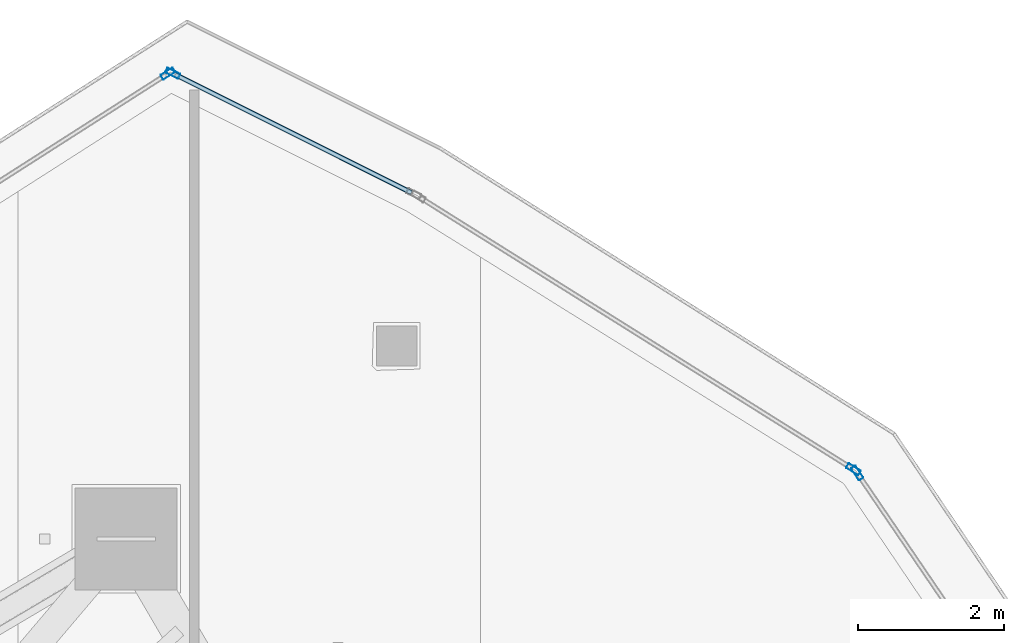
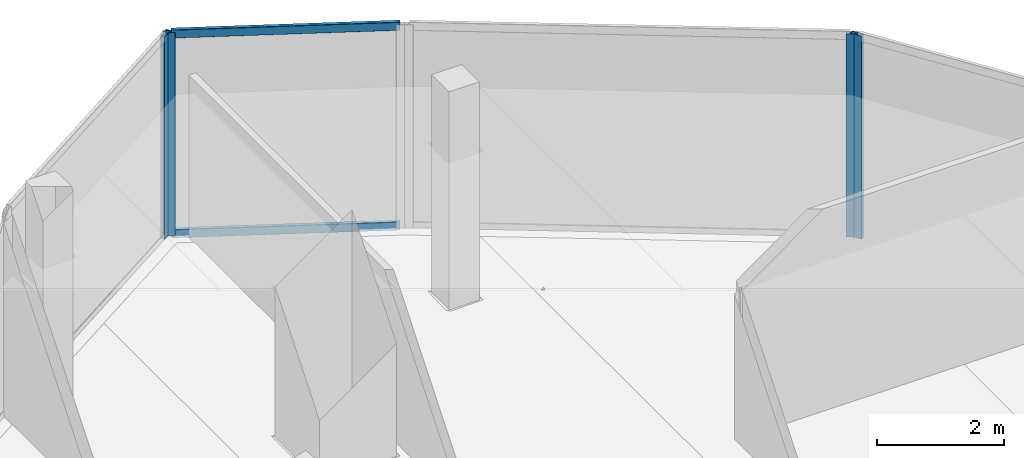
# One storey, part 19 of 30: 6 members, 4 elements without a shape of their own.
"""IFC4 building model written with IfcOpenShell, lengths in metres."""

from ifc_helpers import new_model, si_unit, direction, frame, origin, origin_2d, place, context, subcontext, project, spatial, hollow_rectangle, extrude, material, layer, layer_set, material_profile, profile_set, type_object, element, aggregate, save


model = new_model("IFC4")

# Units and contexts
model_context = context("Model", 3, precision=1e-05, world=origin(), true_north=direction((0.0, 1.0)))
body_context = subcontext(model_context, "Body", "Model", "MODEL_VIEW")
ifc_project = project(units=[si_unit("LENGTHUNIT", "METRE"), si_unit("AREAUNIT", "SQUARE_METRE"), si_unit("VOLUMEUNIT", "CUBIC_METRE"), si_unit("PLANEANGLEUNIT", "RADIAN"), si_unit("MASSUNIT", "GRAM", prefix="KILO")], contexts=[model_context])

# Site, building, storey
site_placement = place(None, origin())
site = spatial("IfcSite", under=ifc_project, at=site_placement, CompositionType="ELEMENT")
building_placement = place(site_placement, origin())
building = spatial("IfcBuilding", under=site, at=building_placement, Name="Qorvath Tower", CompositionType="ELEMENT")
storey_placement = place(building_placement, frame((0.0, 0.0, 289.199951171875)))
storey = spatial("IfcBuildingStorey", under=building, at=storey_placement, Name="L67", CompositionType="ELEMENT", Elevation=289.199951171875)

# Curtain wall, member
ifc_material_1 = material(Name="Anodised aluminium and triple low-E glass", Category="aluminium")
ifc_layer = layer(ifc_material_1, 0.179931640625)
ifc_layer_set = layer_set([ifc_layer], Name="CW-SYS-5")
curtain_wall_type = type_object("IfcCurtainWallType", Name="CW-SYS-5", PredefinedType="NOTDEFINED", material=ifc_layer_set)
curtain_wall_1_placement = place(storey_placement, origin())
curtain_wall_1 = element("IfcCurtainWall", 1, at=curtain_wall_1_placement, inside=storey, type_object=curtain_wall_type, Name="Curtain Wall CW-5 CW-T-L67-13.1", PredefinedType="NOTDEFINED")
ifc_material_2 = material(Name="Anodised aluminium 6063-T6", Category="aluminium")
ifc_material_profile_1 = material_profile(ifc_material_2, hollow_rectangle(XDim=0.074951171875, YDim=0.199951171875, WallThickness=0.00390625, InnerFilletRadius=0.00390625, OuterFilletRadius=0.008056640625, at=origin_2d()), Name="CWM 200x75")
ifc_profile_set_1 = profile_set([ifc_material_profile_1], Name="Anodised aluminium 6063-T6")
member_type_1 = type_object("IfcMemberType", Name="CWM-200", PredefinedType="MULLION", material=ifc_profile_set_1)
member_1_placement = place(storey_placement, frame((-8.742431640625, 18.077392578125, 0.0), z_axis=(0.0, 0.0, 1.0), x_axis=(-0.82717162684, -0.561949374723, 0.0)))
member_1 = element("IfcMember", 2, at=member_1_placement, type_object=member_type_1, Name="CW-5 mullion 2", PredefinedType="MULLION", context=body_context, shape_type="SweptSolid", body=[
    extrude(hollow_rectangle(XDim=0.074951171875, YDim=0.199951171875, WallThickness=0.00390625, InnerFilletRadius=0.00390625, OuterFilletRadius=0.008056640625, at=origin_2d()), origin(), (0.0, 0.0, 1.0), 3.91015625),
])
aggregate(curtain_wall_1, [member_1])

curtain_wall_2_placement = place(storey_placement, origin())
curtain_wall_2 = element("IfcCurtainWall", 3, at=curtain_wall_2_placement, inside=storey, type_object=curtain_wall_type, Name="Curtain Wall CW-5 CW-T-L67-14.1", PredefinedType="NOTDEFINED")
member_2_placement = place(storey_placement, frame((-8.795166015625, 18.12841796875, 0.0), z_axis=(0.0, 0.0, 1.0), x_axis=(-0.531405871405, -0.847117347147, 0.0)))
member_2 = element("IfcMember", 4, at=member_2_placement, type_object=member_type_1, Name="CW-5 mullion 1", PredefinedType="MULLION", context=body_context, shape_type="SweptSolid", body=[
    extrude(hollow_rectangle(XDim=0.074951171875, YDim=0.199951171875, WallThickness=0.00390625, InnerFilletRadius=0.00390625, OuterFilletRadius=0.008056640625, at=origin_2d()), origin(), (0.0, 0.0, 1.0), 3.91015625),
])
aggregate(curtain_wall_2, [member_2])

curtain_wall_3_placement = place(storey_placement, origin())
curtain_wall_3 = element("IfcCurtainWall", 5, at=curtain_wall_3_placement, inside=storey, type_object=curtain_wall_type, Name="Curtain Wall CW-5 CW-T-L67-15.1", PredefinedType="NOTDEFINED")
member_3_placement = place(storey_placement, frame((-18.111572265625, 23.54833984375, 0.0), z_axis=(0.0, 0.0, 1.0), x_axis=(-0.447256104786, -0.894405935094, 0.0)))
member_3 = element("IfcMember", 6, at=member_3_placement, type_object=member_type_1, Name="CW-5 mullion 2", PredefinedType="MULLION", context=body_context, shape_type="SweptSolid", body=[
    extrude(hollow_rectangle(XDim=0.074951171875, YDim=0.199951171875, WallThickness=0.00390625, InnerFilletRadius=0.00390625, OuterFilletRadius=0.008056640625, at=origin_2d()), origin(), (0.0, 0.0, 1.0), 3.91015625),
])

curtain_wall_4_placement = place(storey_placement, origin())
curtain_wall_4 = element("IfcCurtainWall", 7, at=curtain_wall_4_placement, inside=storey, type_object=curtain_wall_type, Name="Curtain Wall CW-5 CW-T-L67-16.1", PredefinedType="NOTDEFINED")
member_4_placement = place(storey_placement, frame((-18.176513671875, 23.544921875, 0.0), z_axis=(0.0, 0.0, 1.0), x_axis=(0.538536873294, -0.842601944042, 0.0)))
member_4 = element("IfcMember", 8, at=member_4_placement, type_object=member_type_1, Name="CW-5 mullion 1", PredefinedType="MULLION", context=body_context, shape_type="SweptSolid", body=[
    extrude(hollow_rectangle(XDim=0.074951171875, YDim=0.199951171875, WallThickness=0.00390625, InnerFilletRadius=0.00390625, OuterFilletRadius=0.008056640625, at=origin_2d()), origin(), (0.0, 0.0, 1.0), 3.91015625),
])
aggregate(curtain_wall_4, [member_4])

# Member
ifc_material_3 = material(Name="Anodised aluminium 6063-T6", Category="aluminium")
ifc_material_profile_2 = material_profile(ifc_material_3, hollow_rectangle(XDim=0.06494140625, YDim=0.159912109375, WallThickness=0.00341796875, InnerFilletRadius=0.00341796875, OuterFilletRadius=0.007080078125, at=origin_2d()), Name="CWT 160x65")
ifc_profile_set_2 = profile_set([ifc_material_profile_2], Name="Anodised aluminium 6063-T6")
member_type_2 = type_object("IfcMemberType", Name="CWT-160", PredefinedType="USERDEFINED", material=ifc_profile_set_2)
member_5_placement = place(storey_placement, frame((-14.845703125, 21.915283203125, 0.032470703125), z_axis=(-0.894386653147, 0.44729466202, 0.0), x_axis=(-0.44729466202, -0.894386653147, 0.0)))
member_5 = element("IfcMember", 9, at=member_5_placement, type_object=member_type_2, Name="CW-5 transom 1.1", ObjectType="TRANSOM", PredefinedType="USERDEFINED", context=body_context, shape_type="SweptSolid", body=[
    extrude(hollow_rectangle(XDim=0.06494140625, YDim=0.159912109375, WallThickness=0.00341796875, InnerFilletRadius=0.00341796875, OuterFilletRadius=0.007080078125, at=origin_2d()), origin(), (0.0, 0.0, 1.0), 3.61376953125),
])

member_6_placement = place(storey_placement, frame((-14.845703125, 21.915283203125, 3.877685546875), z_axis=(-0.894386653147, 0.44729466202, 0.0), x_axis=(-0.44729466202, -0.894386653147, 0.0)))
member_6 = element("IfcMember", 10, at=member_6_placement, type_object=member_type_2, Name="CW-5 transom 1.2", ObjectType="TRANSOM", PredefinedType="USERDEFINED", context=body_context, shape_type="SweptSolid", body=[
    extrude(hollow_rectangle(XDim=0.06494140625, YDim=0.159912109375, WallThickness=0.00341796875, InnerFilletRadius=0.00341796875, OuterFilletRadius=0.007080078125, at=origin_2d()), origin(), (0.0, 0.0, 1.0), 3.61376953125),
])

aggregate(curtain_wall_3, [member_3, member_5, member_6])

save(model, "model.ifc")
